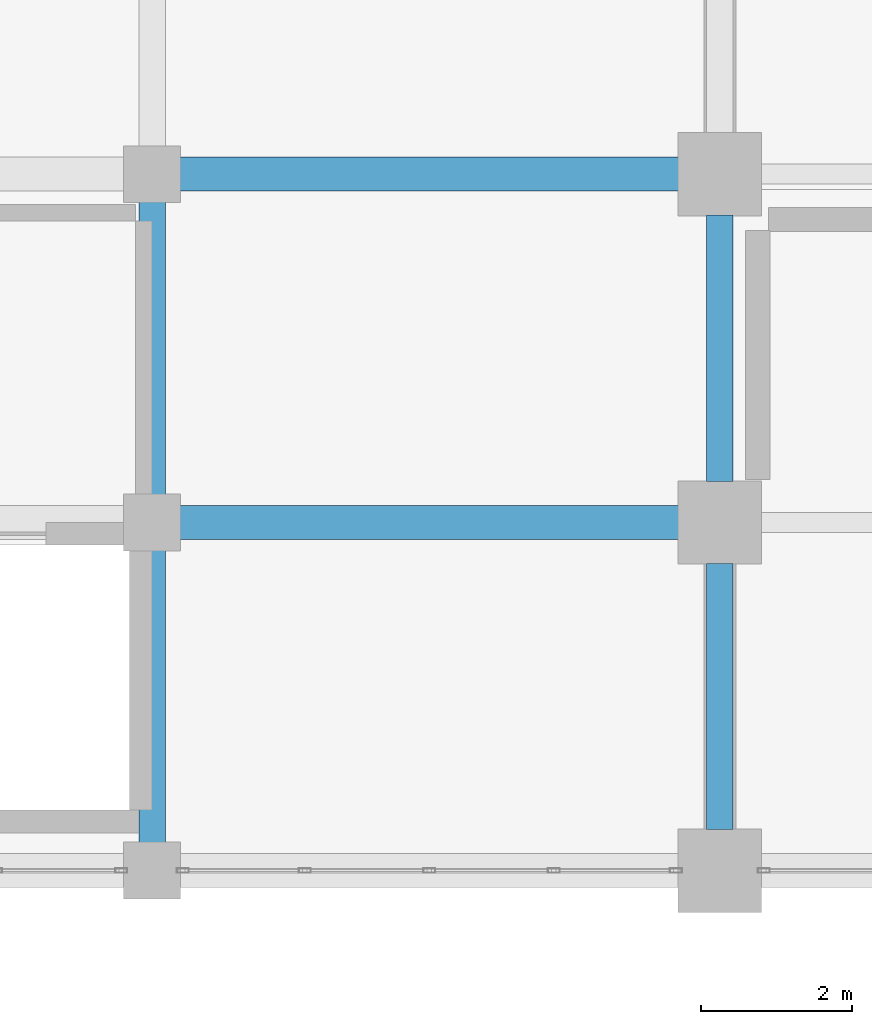
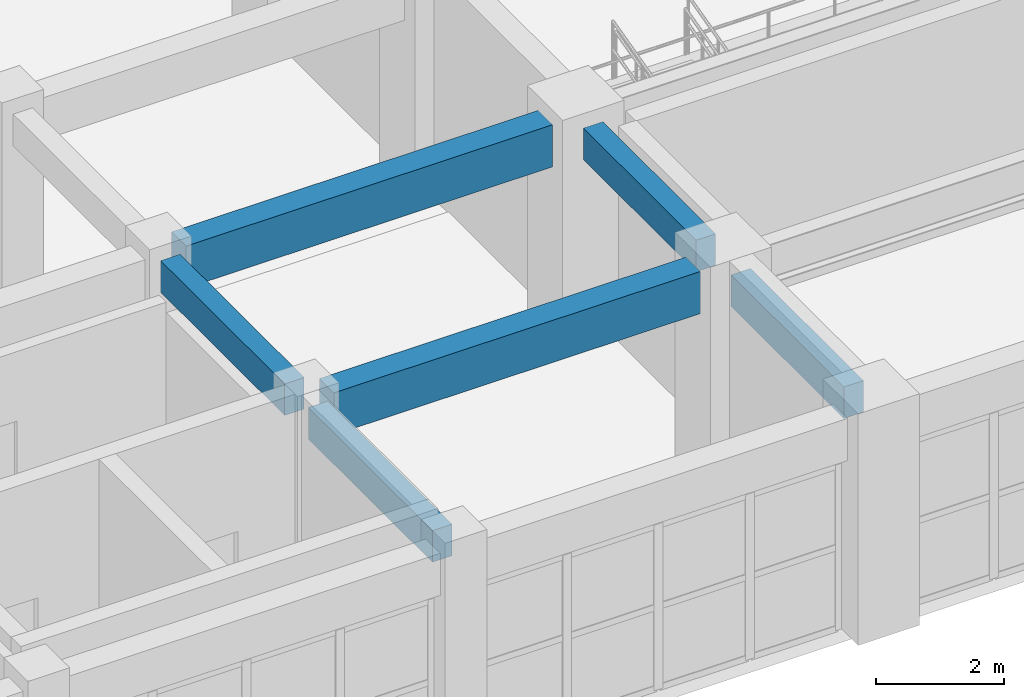
# One storey, part 21 of 90: 6 beams.
"""IFC4 building model written with IfcOpenShell, lengths in metres."""

from ifc_helpers import new_model, si_unit, direction, frame, origin, origin_2d, place, context, subcontext, project, spatial, rectangle, extrude, material, material_profile, profile_set, type_object, element, save


model = new_model("IFC4")

# Units and contexts
model_context = context("Model", 3, precision=1e-05, world=origin(), true_north=direction((0.0, 1.0)))
body_context = subcontext(model_context, "Body", "Model", "MODEL_VIEW")
ifc_project = project(units=[si_unit("LENGTHUNIT", "METRE"), si_unit("AREAUNIT", "SQUARE_METRE"), si_unit("VOLUMEUNIT", "CUBIC_METRE"), si_unit("PLANEANGLEUNIT", "RADIAN"), si_unit("MASSUNIT", "GRAM", prefix="KILO")], contexts=[model_context])

# Site, building, storey
site_placement = place(None, origin())
site = spatial("IfcSite", under=ifc_project, at=site_placement, CompositionType="ELEMENT")
building_placement = place(site_placement, origin())
building = spatial("IfcBuilding", under=site, at=building_placement, Name="Muzn Square Opera House", CompositionType="ELEMENT")
storey_placement = place(building_placement, frame((0.0, 0.0, 9.800048828125)))
storey = spatial("IfcBuildingStorey", under=building, at=storey_placement, Name="L02", CompositionType="ELEMENT", Elevation=9.800048828125)

# Beams
ifc_material = material(Name="Concrete C40/50", Category="concrete")
ifc_material_profile_1 = material_profile(ifc_material, rectangle(XDim=0.35009765625, YDim=0.60009765625, at=origin_2d()), Name="RCB 350x600", Category="concrete")
ifc_profile_set_1 = profile_set([ifc_material_profile_1], Name="Concrete C40/50")
beam_type_1 = type_object("IfcBeamType", Name="Primary Girder 350x600", PredefinedType="BEAM", material=ifc_profile_set_1)
for number, where, z_axis, x_axis, name in (
    (1, (65.5, 22.366943359375, 3.820068359375), (0.0, 1.0, 0.0), (-1.0, 0.0, 0.0), "Primary Girder BM-L02-BM-PG600-655_224_655_262-2186"),
    (2, (65.5, 26.967041015625, 3.820068359375), (0.0, 1.0, 0.0), (-1.0, 0.0, 0.0), "Primary Girder BM-L02-BM-PG600-655_270_655_308-2187"),
):
    element("IfcBeam", number, at=place(storey_placement, frame(where, z_axis=z_axis, x_axis=x_axis)), inside=storey, type_object=beam_type_1, Name=name, PredefinedType="BEAM", context=body_context, shape_type="SweptSolid", body=[
        extrude(rectangle(XDim=0.35009765625, YDim=0.60009765625, at=origin_2d()), origin(), (0.0, 0.0, 1.0), 3.865966796875),
    ])
beam_1_placement = place(storey_placement, frame((73.0, 22.5419921875, 3.820068359375), z_axis=(0.0, 1.0, 0.0), x_axis=(-1.0, 0.0, 0.0)))
element("IfcBeam", 3, at=beam_1_placement, inside=storey, type_object=beam_type_1, Name="Primary Girder BM-L02-BM-PG600-730_225_730_261-2195", PredefinedType="BEAM", context=body_context, shape_type="SweptSolid", body=[
    extrude(rectangle(XDim=0.35009765625, YDim=0.60009765625, at=origin_2d()), origin(), (0.0, 0.0, 1.0), 3.51611328125),
])
beam_2_placement = place(storey_placement, frame((73.0, 27.14208984375, 3.820068359375), z_axis=(0.0, 1.0, 0.0), x_axis=(-1.0, 0.0, 0.0)))
element("IfcBeam", 4, at=beam_2_placement, inside=storey, type_object=beam_type_1, Name="Primary Girder BM-L02-BM-PG600-730_271_730_307-2196", PredefinedType="BEAM", context=body_context, shape_type="SweptSolid", body=[
    extrude(rectangle(XDim=0.35009765625, YDim=0.60009765625, at=origin_2d()), origin(), (0.0, 0.0, 1.0), 3.515869140625),
])
ifc_material_profile_2 = material_profile(ifc_material, rectangle(XDim=0.449951171875, YDim=0.800048828125, at=origin_2d()), Name="RCB 450x800", Category="concrete")
ifc_profile_set_2 = profile_set([ifc_material_profile_2], Name="Concrete C40/50")
beam_type_2 = type_object("IfcBeamType", Name="Primary Girder 450x800", PredefinedType="BEAM", material=ifc_profile_set_2)
for number, where, z_axis, x_axis, name in (
    (5, (65.866943359375, 26.60009765625, 3.719970703125), (1.0, 0.0, 0.0), (0.0, 1.0, 0.0), "Primary Girder BM-L02-BM-PG800-659_266_725_266-1970"),
    (6, (65.866943359375, 31.199951171875, 3.719970703125), (1.0, 0.0, 0.0), (0.0, 1.0, 0.0), "Primary Girder BM-L02-BM-PG800-659_312_725_312-1987"),
):
    element("IfcBeam", number, at=place(storey_placement, frame(where, z_axis=z_axis, x_axis=x_axis)), inside=storey, type_object=beam_type_2, Name=name, PredefinedType="BEAM", context=body_context, shape_type="SweptSolid", body=[
        extrude(rectangle(XDim=0.449951171875, YDim=0.800048828125, at=origin_2d()), origin(), (0.0, 0.0, 1.0), 6.591064453125),
    ])

save(model, "model.ifc")
